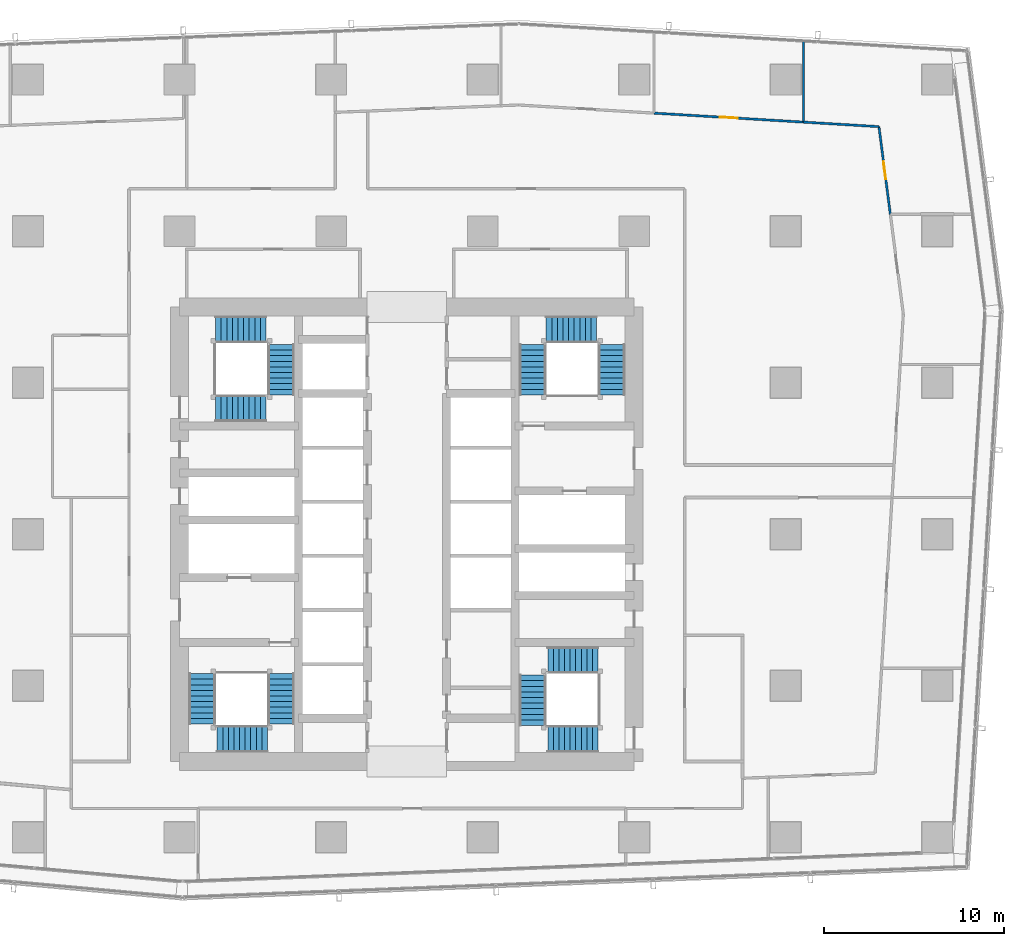
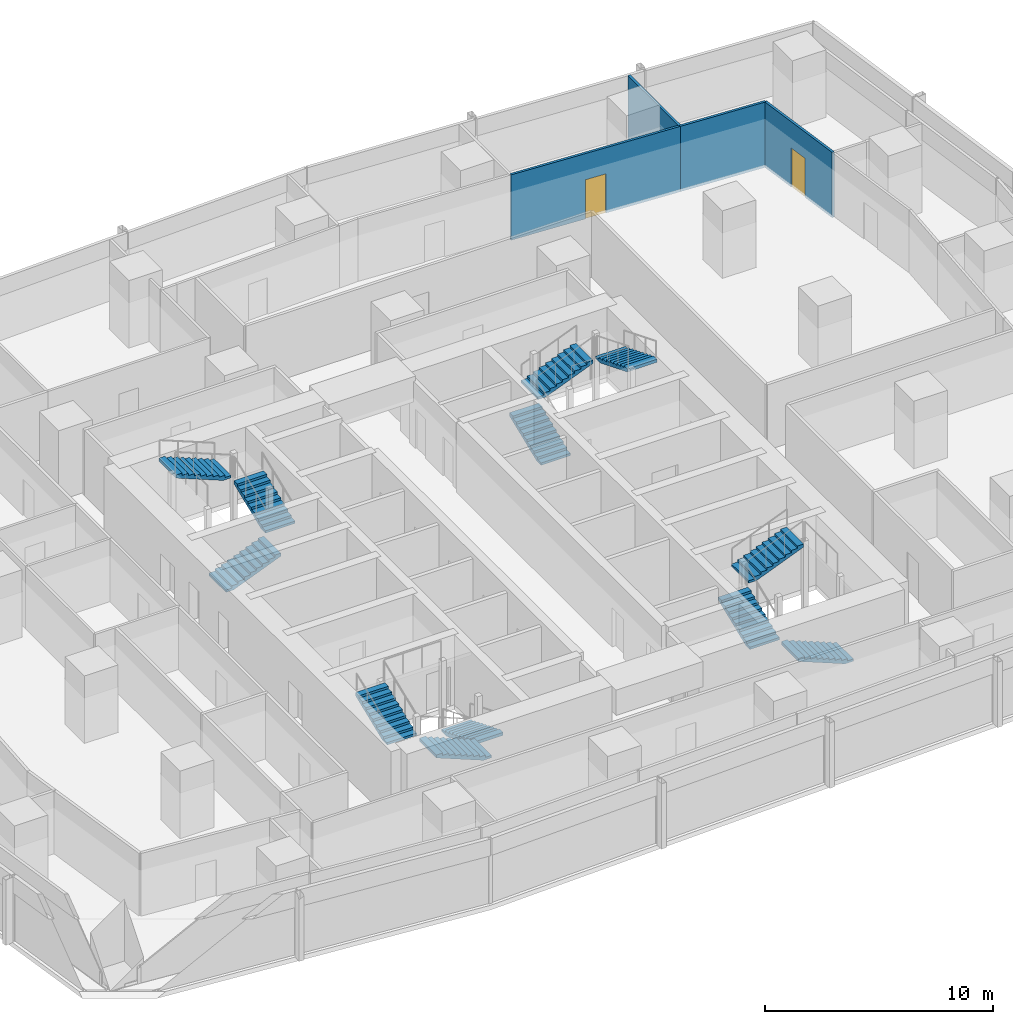
# One storey, part 32 of 40: 12 stair flights, 4 walls, 2 doors, 2 openings, 4 elements without a shape of their own.
"""IFC4 building model written with IfcOpenShell, lengths in metres."""

from ifc_helpers import new_model, si_unit, direction, frame, frame_2d, origin, place, context, subcontext, project, spatial, polyline, rectangle, outline, extrude, material, layer, layer_set, type_object, element, fill, aggregate, save


model = new_model("IFC4")

# Units and contexts
model_context = context("Model", 3, precision=1e-05, world=origin(), true_north=direction((0.0, 1.0)))
body_context = subcontext(model_context, "Body", "Model", "MODEL_VIEW")
ifc_project = project(units=[si_unit("LENGTHUNIT", "METRE"), si_unit("AREAUNIT", "SQUARE_METRE"), si_unit("VOLUMEUNIT", "CUBIC_METRE"), si_unit("PLANEANGLEUNIT", "RADIAN"), si_unit("MASSUNIT", "GRAM", prefix="KILO")], contexts=[model_context])

# Site, building, storey
site_placement = place(None, origin())
site = spatial("IfcSite", under=ifc_project, at=site_placement, CompositionType="ELEMENT")
building_placement = place(site_placement, origin())
building = spatial("IfcBuilding", under=site, at=building_placement, Name="Rekha Terrace Tower", CompositionType="ELEMENT")
storey_placement = place(building_placement, frame((0.0, 0.0, 106.550048828125)))
storey = spatial("IfcBuildingStorey", under=building, at=storey_placement, Name="L26", CompositionType="ELEMENT", Elevation=106.550048828125)

# Wall
ifc_material_1 = material(Name="Two layers of fire-rated gypsum board each side on steel studs, acoustic quilt, 1 hour", Category="steel")
ifc_layer = layer(ifc_material_1, 0.125)
ifc_layer_set = layer_set([ifc_layer], Name="Two layers of fire-rated gypsum board each side on steel studs, acoustic quilt, 1 hour")
wall_type = type_object("IfcWallType", Name="WP3 125 office partition", PredefinedType="PARTITIONING", material=ifc_layer_set)
wall_1_placement = place(storey_placement, frame((59.7880859375, 56.445068359375, 0.0), z_axis=(0.0, 0.0, 1.0), x_axis=(0.0, 1.0, 0.0)))
element("IfcWall", 1, at=wall_1_placement, inside=storey, type_object=wall_type, Name="Partition L26-07", PredefinedType="PARTITIONING", context=body_context, shape_type="SweptSolid", body=[
    extrude(rectangle(XDim=4.4580078125, YDim=0.125, at=frame_2d((2.22900390625, 0.0))), origin(), (0.0, 0.0, 1.0), 3.5),
])

# Wall, opening, door
wall_2_placement = place(storey_placement, frame((64.59912109375, 51.339111328125, 0.0), z_axis=(0.0, 0.0, 1.0), x_axis=(-0.129102549566, 0.991631247841, 0.0)))
wall_2 = element("IfcWall", 2, at=wall_2_placement, inside=storey, type_object=wall_type, Name="Partition L26-07", PredefinedType="PARTITIONING", context=body_context, shape_type="SweptSolid", body=[
    extrude(rectangle(XDim=4.89599609375, YDim=0.125, at=frame_2d((2.447998046875, 0.0))), origin(), (0.0, 0.0, 1.0), 3.5),
])
opening_1_placement = place(wall_2_placement, frame((1.947998046875, 0.0, 0.0)))
opening_1 = element("IfcOpeningElement", 3, at=opening_1_placement, cuts=wall_2, Name="Opening D9", PredefinedType="OPENING", context=body_context, shape_type="SweptSolid", body=[
    extrude(rectangle(XDim=1.0, YDim=2.10009765625, at=frame_2d((0.5, 1.050048828125))), frame((0.0, 0.072509765625, 0.0), z_axis=(0.0, -1.0, 0.0), x_axis=(1.0, 0.0, 0.0)), (0.0, 0.0, 1.0), 0.14501953125),
])
ifc_material_2 = material(Name="Timber fire door", Category="wood")
door_type = type_object("IfcDoorType", Name="D9 1000x2100 office door", OperationType="SINGLE_SWING_LEFT", PredefinedType="DOOR", material=ifc_material_2)
door_1_placement = place(opening_1_placement, origin())
door_1 = element("IfcDoor", 4, at=door_1_placement, inside=storey, type_object=door_type, Name="Door manager's office L26", OperationType="SINGLE_SWING_LEFT", OverallHeight=2.10009765625, OverallWidth=1.0, PredefinedType="DOOR", context=body_context, shape_type="SweptSolid", body=[
    extrude(rectangle(XDim=1.0, YDim=2.10009765625, at=frame_2d((0.5, 1.050048828125))), frame((0.0, 0.02490234375, 0.0), z_axis=(0.0, -1.0, 0.0), x_axis=(1.0, 0.0, 0.0)), (0.0, 0.0, 1.0), 0.050048828125),
])
fill(opening_1, door_1)

# Wall
wall_3_placement = place(storey_placement, frame((63.967041015625, 56.194091796875, 0.0), z_axis=(0.0, 0.0, 1.0), x_axis=(-0.998201427139, 0.059949235678, 0.0)))
element("IfcWall", 5, at=wall_3_placement, inside=storey, type_object=wall_type, Name="Partition L26-07", PredefinedType="PARTITIONING", context=body_context, shape_type="SweptSolid", body=[
    extrude(rectangle(XDim=4.1865234375, YDim=0.125, at=frame_2d((2.09326171875, 0.0))), origin(), (0.0, 0.0, 1.0), 3.5),
])

# Wall, opening, door
wall_4_placement = place(storey_placement, frame((59.787109375, 56.445068359375, 0.0), z_axis=(0.0, 0.0, 1.0), x_axis=(-0.998194005673, 0.060072681298, 0.0)))
wall_4 = element("IfcWall", 6, at=wall_4_placement, inside=storey, type_object=wall_type, Name="Partition L26-08", PredefinedType="PARTITIONING", context=body_context, shape_type="SweptSolid", body=[
    extrude(rectangle(XDim=8.306884765625, YDim=0.125, at=frame_2d((4.1533203125, 0.0))), origin(), (0.0, 0.0, 1.0), 3.5),
])
opening_2_placement = place(wall_4_placement, frame((3.654052734375, 0.0, 0.0)))
opening_2 = element("IfcOpeningElement", 7, at=opening_2_placement, cuts=wall_4, Name="Opening D9", PredefinedType="OPENING", context=body_context, shape_type="SweptSolid", body=[
    extrude(rectangle(XDim=1.0, YDim=2.10009765625, at=frame_2d((0.5, 1.050048828125))), frame((0.0, 0.072509765625, 0.0), z_axis=(0.0, -1.0, 0.0), x_axis=(1.0, 0.0, 0.0)), (0.0, 0.0, 1.0), 0.14501953125),
])
door_2_placement = place(opening_2_placement, origin())
door_2 = element("IfcDoor", 8, at=door_2_placement, inside=storey, type_object=door_type, Name="Door office L26", OperationType="SINGLE_SWING_LEFT", OverallHeight=2.10009765625, OverallWidth=1.0, PredefinedType="DOOR", context=body_context, shape_type="SweptSolid", body=[
    extrude(rectangle(XDim=1.0, YDim=2.10009765625, at=frame_2d((0.5, 1.050048828125))), frame((0.0, 0.02490234375, 0.0), z_axis=(0.0, -1.0, 0.0), x_axis=(1.0, 0.0, 0.0)), (0.0, 0.0, 1.0), 0.050048828125),
])
fill(opening_2, door_2)

# Stair, stair flights
ifc_material_3 = material(Name="Concrete M40", Category="concrete")
stair_type = type_object("IfcStairType", Name="ST30 stair, 30 risers of 125, going 310, 1500 wide flights, 3 flights", PredefinedType="HALF_TURN_STAIR", material=ifc_material_3)
stair_1_placement = place(storey_placement, origin())
stair_1 = element("IfcStair", 9, at=stair_1_placement, inside=storey, type_object=stair_type, Name="Stair ST1 L26 to L27", PredefinedType="HALF_TURN_STAIR")
stair_flight_type = type_object("IfcStairFlightType", Name="SF10 stair flight, 10 risers of 125, going 310, 1500 wide", PredefinedType="STRAIGHT", material=ifc_material_3)
stair_flight_1_placement = place(storey_placement, frame((30.824951171875, 25.875, 0.0), z_axis=(0.0, 0.0, 1.0), x_axis=(0.0, -1.0, 0.0)))
stair_flight_1 = element("IfcStairFlight", 10, at=stair_flight_1_placement, type_object=stair_flight_type, Name="ST1 flight 1", NumberOfRisers=10, NumberOfTreads=9, PredefinedType="STRAIGHT", RiserHeight=0.125, TreadLength=0.31, context=body_context, shape_type="SweptSolid", body=[
    extrude(outline(polyline([(0.0, 0.0), (0.0, 0.125), (0.31005859375, 0.125), (0.31005859375, 0.25), (0.6201171875, 0.25), (0.6201171875, 0.375), (0.929931640625, 0.375), (0.929931640625, 0.5), (1.239990234375, 0.5), (1.239990234375, 0.625), (1.550048828125, 0.625), (1.550048828125, 0.75), (1.860107421875, 0.75), (1.860107421875, 0.875), (2.169921875, 0.875), (2.169921875, 1.0), (2.47998046875, 1.0), (2.47998046875, 1.125), (2.7900390625, 1.125), (2.7900390625, 1.25), (2.7900390625, 0.96337890625), (0.40087890625, 0.0), (0.0, 0.0)])), frame((0.0, 0.75, 0.0), z_axis=(0.0, -1.0, 0.0), x_axis=(1.0, 0.0, 0.0)), (0.0, 0.0, 1.0), 1.5),
])
stair_flight_2_placement = place(storey_placement, frame((30.074951171875, 22.25, 1.25), z_axis=(0.0, 0.0, 1.0), x_axis=(-1.0, 0.0, 0.0)))
stair_flight_2 = element("IfcStairFlight", 11, at=stair_flight_2_placement, type_object=stair_flight_type, Name="ST1 flight 2", NumberOfRisers=10, NumberOfTreads=9, PredefinedType="STRAIGHT", RiserHeight=0.125, TreadLength=0.31, context=body_context, shape_type="SweptSolid", body=[
    extrude(outline(polyline([(0.0, 0.0), (0.0, 0.125), (0.31005859375, 0.125), (0.31005859375, 0.25), (0.6201171875, 0.25), (0.6201171875, 0.375), (0.929931640625, 0.375), (0.929931640625, 0.5), (1.239990234375, 0.5), (1.239990234375, 0.625), (1.550048828125, 0.625), (1.550048828125, 0.75), (1.860107421875, 0.75), (1.860107421875, 0.875), (2.169921875, 0.875), (2.169921875, 1.0), (2.47998046875, 1.0), (2.47998046875, 1.125), (2.7900390625, 1.125), (2.7900390625, 1.25), (2.7900390625, 0.96337890625), (0.40087890625, 0.0), (0.0, 0.0)])), frame((0.0, 0.75, 0.0), z_axis=(0.0, -1.0, 0.0), x_axis=(1.0, 0.0, 0.0)), (0.0, 0.0, 1.0), 1.5),
])
stair_flight_3_placement = place(storey_placement, frame((26.449951171875, 23.0849609375, 2.5), z_axis=(0.0, 0.0, 1.0), x_axis=(0.0, 1.0, 0.0)))
stair_flight_3 = element("IfcStairFlight", 12, at=stair_flight_3_placement, type_object=stair_flight_type, Name="ST1 flight 3", NumberOfRisers=10, NumberOfTreads=9, PredefinedType="STRAIGHT", RiserHeight=0.125, TreadLength=0.31, context=body_context, shape_type="SweptSolid", body=[
    extrude(outline(polyline([(0.0, 0.0), (0.0, 0.125), (0.31005859375, 0.125), (0.31005859375, 0.25), (0.6201171875, 0.25), (0.6201171875, 0.375), (0.929931640625, 0.375), (0.929931640625, 0.5), (1.239990234375, 0.5), (1.239990234375, 0.625), (1.550048828125, 0.625), (1.550048828125, 0.75), (1.860107421875, 0.75), (1.860107421875, 0.875), (2.169921875, 0.875), (2.169921875, 1.0), (2.47998046875, 1.0), (2.47998046875, 1.125), (2.7900390625, 1.125), (2.7900390625, 1.25), (2.7900390625, 0.96337890625), (0.40087890625, 0.0), (0.0, 0.0)])), frame((0.0, 0.75, 0.0), z_axis=(0.0, -1.0, 0.0), x_axis=(1.0, 0.0, 0.0)), (0.0, 0.0, 1.0), 1.5),
])
aggregate(stair_1, [stair_flight_1, stair_flight_2, stair_flight_3])

stair_2_placement = place(storey_placement, origin())
stair_2 = element("IfcStair", 13, at=stair_2_placement, inside=storey, type_object=stair_type, Name="Stair ST2 L26 to L27", PredefinedType="HALF_TURN_STAIR")
stair_flight_4_placement = place(storey_placement, frame((44.77490234375, 41.324951171875, 0.0), z_axis=(0.0, 0.0, 1.0), x_axis=(0.0, 1.0, 0.0)))
stair_flight_4 = element("IfcStairFlight", 14, at=stair_flight_4_placement, type_object=stair_flight_type, Name="ST2 flight 1", NumberOfRisers=10, NumberOfTreads=9, PredefinedType="STRAIGHT", RiserHeight=0.125, TreadLength=0.31, context=body_context, shape_type="SweptSolid", body=[
    extrude(outline(polyline([(0.0, 0.0), (0.0, 0.125), (0.31005859375, 0.125), (0.31005859375, 0.25), (0.6201171875, 0.25), (0.6201171875, 0.375), (0.929931640625, 0.375), (0.929931640625, 0.5), (1.239990234375, 0.5), (1.239990234375, 0.625), (1.550048828125, 0.625), (1.550048828125, 0.75), (1.860107421875, 0.75), (1.860107421875, 0.875), (2.169921875, 0.875), (2.169921875, 1.0), (2.47998046875, 1.0), (2.47998046875, 1.125), (2.7900390625, 1.125), (2.7900390625, 1.25), (2.7900390625, 0.96337890625), (0.40087890625, 0.0), (0.0, 0.0)])), frame((0.0, 0.75, 0.0), z_axis=(0.0, -1.0, 0.0), x_axis=(1.0, 0.0, 0.0)), (0.0, 0.0, 1.0), 1.5),
])
stair_flight_5_placement = place(storey_placement, frame((45.52490234375, 44.949951171875, 1.25), z_axis=(0.0, 0.0, 1.0), x_axis=(1.0, 0.0, 0.0)))
stair_flight_5 = element("IfcStairFlight", 15, at=stair_flight_5_placement, type_object=stair_flight_type, Name="ST2 flight 2", NumberOfRisers=10, NumberOfTreads=9, PredefinedType="STRAIGHT", RiserHeight=0.125, TreadLength=0.31, context=body_context, shape_type="SweptSolid", body=[
    extrude(outline(polyline([(0.0, 0.0), (0.0, 0.125), (0.31005859375, 0.125), (0.31005859375, 0.25), (0.6201171875, 0.25), (0.6201171875, 0.375), (0.929931640625, 0.375), (0.929931640625, 0.5), (1.239990234375, 0.5), (1.239990234375, 0.625), (1.550048828125, 0.625), (1.550048828125, 0.75), (1.860107421875, 0.75), (1.860107421875, 0.875), (2.169921875, 0.875), (2.169921875, 1.0), (2.47998046875, 1.0), (2.47998046875, 1.125), (2.7900390625, 1.125), (2.7900390625, 1.25), (2.7900390625, 0.96337890625), (0.40087890625, 0.0), (0.0, 0.0)])), frame((0.0, 0.75, 0.0), z_axis=(0.0, -1.0, 0.0), x_axis=(1.0, 0.0, 0.0)), (0.0, 0.0, 1.0), 1.5),
])
stair_flight_6_placement = place(storey_placement, frame((49.14990234375, 44.114990234375, 2.5), z_axis=(0.0, 0.0, 1.0), x_axis=(0.0, -1.0, 0.0)))
stair_flight_6 = element("IfcStairFlight", 16, at=stair_flight_6_placement, type_object=stair_flight_type, Name="ST2 flight 3", NumberOfRisers=10, NumberOfTreads=9, PredefinedType="STRAIGHT", RiserHeight=0.125, TreadLength=0.31, context=body_context, shape_type="SweptSolid", body=[
    extrude(outline(polyline([(0.0, 0.0), (0.0, 0.125), (0.31005859375, 0.125), (0.31005859375, 0.25), (0.6201171875, 0.25), (0.6201171875, 0.375), (0.929931640625, 0.375), (0.929931640625, 0.5), (1.239990234375, 0.5), (1.239990234375, 0.625), (1.550048828125, 0.625), (1.550048828125, 0.75), (1.860107421875, 0.75), (1.860107421875, 0.875), (2.169921875, 0.875), (2.169921875, 1.0), (2.47998046875, 1.0), (2.47998046875, 1.125), (2.7900390625, 1.125), (2.7900390625, 1.25), (2.7900390625, 0.96337890625), (0.40087890625, 0.0), (0.0, 0.0)])), frame((0.0, 0.75, 0.0), z_axis=(0.0, -1.0, 0.0), x_axis=(1.0, 0.0, 0.0)), (0.0, 0.0, 1.0), 1.5),
])
aggregate(stair_2, [stair_flight_4, stair_flight_5, stair_flight_6])

stair_3_placement = place(storey_placement, origin())
stair_3 = element("IfcStair", 17, at=stair_3_placement, inside=storey, type_object=stair_type, Name="Stair ST3 L26 to L27", PredefinedType="HALF_TURN_STAIR")
stair_flight_7_placement = place(storey_placement, frame((48.39990234375, 22.25, 0.0), z_axis=(0.0, 0.0, 1.0), x_axis=(-1.0, 0.0, 0.0)))
stair_flight_7 = element("IfcStairFlight", 18, at=stair_flight_7_placement, type_object=stair_flight_type, Name="ST3 flight 1", NumberOfRisers=10, NumberOfTreads=9, PredefinedType="STRAIGHT", RiserHeight=0.125, TreadLength=0.31, context=body_context, shape_type="SweptSolid", body=[
    extrude(outline(polyline([(0.0, 0.0), (0.0, 0.125), (0.31005859375, 0.125), (0.31005859375, 0.25), (0.6201171875, 0.25), (0.6201171875, 0.375), (0.929931640625, 0.375), (0.929931640625, 0.5), (1.239990234375, 0.5), (1.239990234375, 0.625), (1.550048828125, 0.625), (1.550048828125, 0.75), (1.860107421875, 0.75), (1.860107421875, 0.875), (2.169921875, 0.875), (2.169921875, 1.0), (2.47998046875, 1.0), (2.47998046875, 1.125), (2.7900390625, 1.125), (2.7900390625, 1.25), (2.7900390625, 0.96337890625), (0.40087890625, 0.0), (0.0, 0.0)])), frame((0.0, 0.75, 0.0), z_axis=(0.0, -1.0, 0.0), x_axis=(1.0, 0.0, 0.0)), (0.0, 0.0, 1.0), 1.5),
])
stair_flight_8_placement = place(storey_placement, frame((44.77490234375, 23.0, 1.25), z_axis=(0.0, 0.0, 1.0), x_axis=(0.0, 1.0, 0.0)))
stair_flight_8 = element("IfcStairFlight", 19, at=stair_flight_8_placement, type_object=stair_flight_type, Name="ST3 flight 2", NumberOfRisers=10, NumberOfTreads=9, PredefinedType="STRAIGHT", RiserHeight=0.125, TreadLength=0.31, context=body_context, shape_type="SweptSolid", body=[
    extrude(outline(polyline([(0.0, 0.0), (0.0, 0.125), (0.31005859375, 0.125), (0.31005859375, 0.25), (0.6201171875, 0.25), (0.6201171875, 0.375), (0.929931640625, 0.375), (0.929931640625, 0.5), (1.239990234375, 0.5), (1.239990234375, 0.625), (1.550048828125, 0.625), (1.550048828125, 0.75), (1.860107421875, 0.75), (1.860107421875, 0.875), (2.169921875, 0.875), (2.169921875, 1.0), (2.47998046875, 1.0), (2.47998046875, 1.125), (2.7900390625, 1.125), (2.7900390625, 1.25), (2.7900390625, 0.96337890625), (0.40087890625, 0.0), (0.0, 0.0)])), frame((0.0, 0.75, 0.0), z_axis=(0.0, -1.0, 0.0), x_axis=(1.0, 0.0, 0.0)), (0.0, 0.0, 1.0), 1.5),
])
stair_flight_9_placement = place(storey_placement, frame((45.610107421875, 26.625, 2.5), z_axis=(0.0, 0.0, 1.0), x_axis=(1.0, 0.0, 0.0)))
stair_flight_9 = element("IfcStairFlight", 20, at=stair_flight_9_placement, type_object=stair_flight_type, Name="ST3 flight 3", NumberOfRisers=10, NumberOfTreads=9, PredefinedType="STRAIGHT", RiserHeight=0.125, TreadLength=0.31, context=body_context, shape_type="SweptSolid", body=[
    extrude(outline(polyline([(0.0, 0.0), (0.0, 0.125), (0.31005859375, 0.125), (0.31005859375, 0.25), (0.6201171875, 0.25), (0.6201171875, 0.375), (0.929931640625, 0.375), (0.929931640625, 0.5), (1.239990234375, 0.5), (1.239990234375, 0.625), (1.550048828125, 0.625), (1.550048828125, 0.75), (1.860107421875, 0.75), (1.860107421875, 0.875), (2.169921875, 0.875), (2.169921875, 1.0), (2.47998046875, 1.0), (2.47998046875, 1.125), (2.7900390625, 1.125), (2.7900390625, 1.25), (2.7900390625, 0.96337890625), (0.40087890625, 0.0), (0.0, 0.0)])), frame((0.0, 0.75, 0.0), z_axis=(0.0, -1.0, 0.0), x_axis=(1.0, 0.0, 0.0)), (0.0, 0.0, 1.0), 1.5),
])
aggregate(stair_3, [stair_flight_7, stair_flight_8, stair_flight_9])

stair_4_placement = place(storey_placement, origin())
stair_4 = element("IfcStair", 21, at=stair_4_placement, inside=storey, type_object=stair_type, Name="Stair ST4 L26 to L27", PredefinedType="HALF_TURN_STAIR")
stair_flight_10_placement = place(storey_placement, frame((27.199951171875, 40.574951171875, 0.0), z_axis=(0.0, 0.0, 1.0), x_axis=(1.0, 0.0, 0.0)))
stair_flight_10 = element("IfcStairFlight", 22, at=stair_flight_10_placement, type_object=stair_flight_type, Name="ST4 flight 1", NumberOfRisers=10, NumberOfTreads=9, PredefinedType="STRAIGHT", RiserHeight=0.125, TreadLength=0.31, context=body_context, shape_type="SweptSolid", body=[
    extrude(outline(polyline([(0.0, 0.0), (0.0, 0.125), (0.31005859375, 0.125), (0.31005859375, 0.25), (0.6201171875, 0.25), (0.6201171875, 0.375), (0.929931640625, 0.375), (0.929931640625, 0.5), (1.239990234375, 0.5), (1.239990234375, 0.625), (1.550048828125, 0.625), (1.550048828125, 0.75), (1.860107421875, 0.75), (1.860107421875, 0.875), (2.169921875, 0.875), (2.169921875, 1.0), (2.47998046875, 1.0), (2.47998046875, 1.125), (2.7900390625, 1.125), (2.7900390625, 1.25), (2.7900390625, 0.96337890625), (0.40087890625, 0.0), (0.0, 0.0)])), frame((0.0, 0.75, 0.0), z_axis=(0.0, -1.0, 0.0), x_axis=(1.0, 0.0, 0.0)), (0.0, 0.0, 1.0), 1.5),
])
stair_flight_11_placement = place(storey_placement, frame((30.824951171875, 41.324951171875, 1.25), z_axis=(0.0, 0.0, 1.0), x_axis=(0.0, 1.0, 0.0)))
stair_flight_11 = element("IfcStairFlight", 23, at=stair_flight_11_placement, type_object=stair_flight_type, Name="ST4 flight 2", NumberOfRisers=10, NumberOfTreads=9, PredefinedType="STRAIGHT", RiserHeight=0.125, TreadLength=0.31, context=body_context, shape_type="SweptSolid", body=[
    extrude(outline(polyline([(0.0, 0.0), (0.0, 0.125), (0.31005859375, 0.125), (0.31005859375, 0.25), (0.6201171875, 0.25), (0.6201171875, 0.375), (0.929931640625, 0.375), (0.929931640625, 0.5), (1.239990234375, 0.5), (1.239990234375, 0.625), (1.550048828125, 0.625), (1.550048828125, 0.75), (1.860107421875, 0.75), (1.860107421875, 0.875), (2.169921875, 0.875), (2.169921875, 1.0), (2.47998046875, 1.0), (2.47998046875, 1.125), (2.7900390625, 1.125), (2.7900390625, 1.25), (2.7900390625, 0.96337890625), (0.40087890625, 0.0), (0.0, 0.0)])), frame((0.0, 0.75, 0.0), z_axis=(0.0, -1.0, 0.0), x_axis=(1.0, 0.0, 0.0)), (0.0, 0.0, 1.0), 1.5),
])
stair_flight_12_placement = place(storey_placement, frame((29.989990234375, 44.949951171875, 2.5), z_axis=(0.0, 0.0, 1.0), x_axis=(-1.0, 0.0, 0.0)))
stair_flight_12 = element("IfcStairFlight", 24, at=stair_flight_12_placement, type_object=stair_flight_type, Name="ST4 flight 3", NumberOfRisers=10, NumberOfTreads=9, PredefinedType="STRAIGHT", RiserHeight=0.125, TreadLength=0.31, context=body_context, shape_type="SweptSolid", body=[
    extrude(outline(polyline([(0.0, 0.0), (0.0, 0.125), (0.31005859375, 0.125), (0.31005859375, 0.25), (0.6201171875, 0.25), (0.6201171875, 0.375), (0.929931640625, 0.375), (0.929931640625, 0.5), (1.239990234375, 0.5), (1.239990234375, 0.625), (1.550048828125, 0.625), (1.550048828125, 0.75), (1.860107421875, 0.75), (1.860107421875, 0.875), (2.169921875, 0.875), (2.169921875, 1.0), (2.47998046875, 1.0), (2.47998046875, 1.125), (2.7900390625, 1.125), (2.7900390625, 1.25), (2.7900390625, 0.96337890625), (0.40087890625, 0.0), (0.0, 0.0)])), frame((0.0, 0.75, 0.0), z_axis=(0.0, -1.0, 0.0), x_axis=(1.0, 0.0, 0.0)), (0.0, 0.0, 1.0), 1.5),
])
aggregate(stair_4, [stair_flight_10, stair_flight_11, stair_flight_12])

save(model, "model.ifc")
